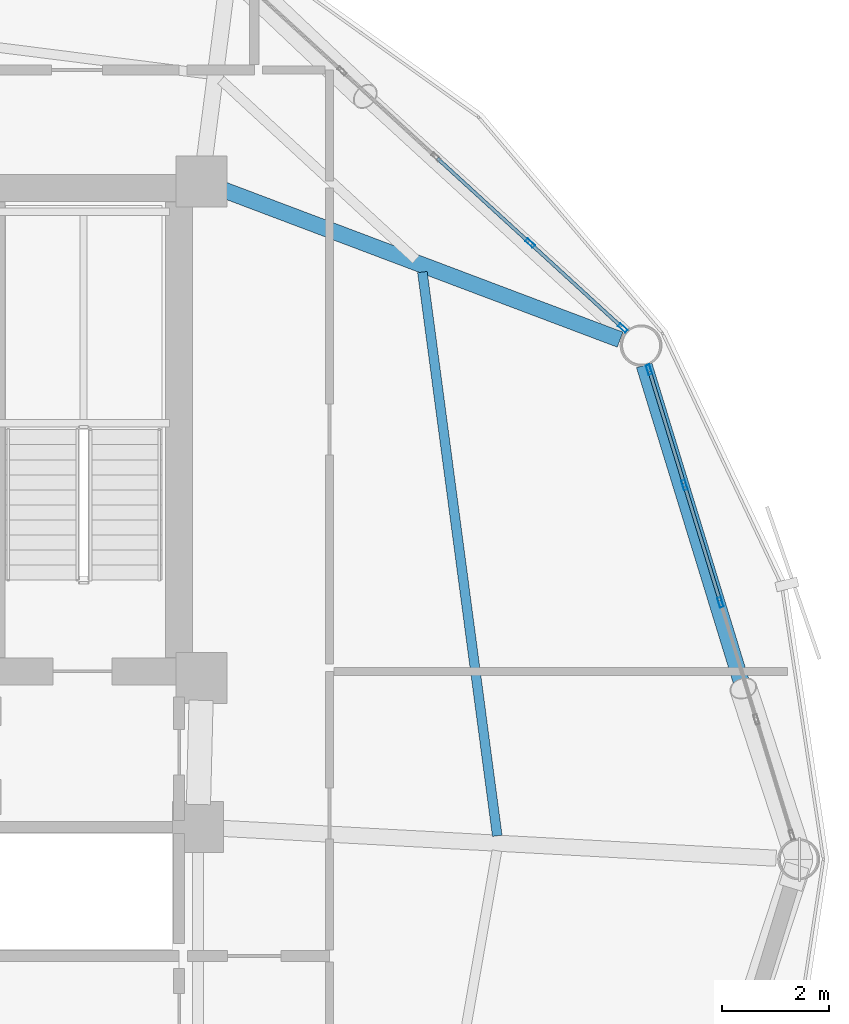
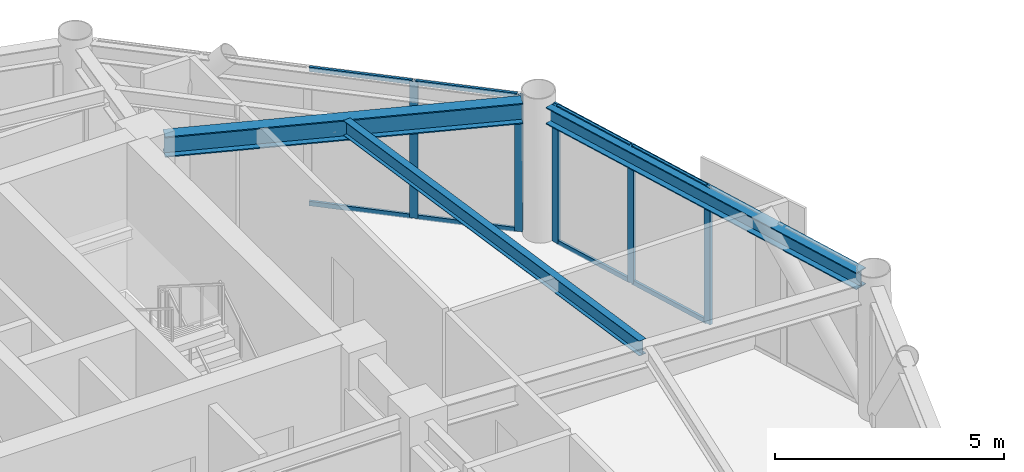
# One storey, part 16 of 27: 13 members, 3 beams, 2 elements without a shape of their own.
"""IFC4 building model written with IfcOpenShell, lengths in metres."""

from ifc_helpers import new_model, si_unit, direction, frame, origin, origin_2d, place, context, subcontext, project, spatial, hollow_rectangle, i_section, extrude, material, layer, layer_set, material_profile, profile_set, type_object, element, aggregate, save


model = new_model("IFC4")

# Units and contexts
model_context = context("Model", 3, precision=1e-05, world=origin(), true_north=direction((0.0, 1.0)))
body_context = subcontext(model_context, "Body", "Model", "MODEL_VIEW")
ifc_project = project(units=[si_unit("LENGTHUNIT", "METRE"), si_unit("AREAUNIT", "SQUARE_METRE"), si_unit("VOLUMEUNIT", "CUBIC_METRE"), si_unit("PLANEANGLEUNIT", "RADIAN"), si_unit("MASSUNIT", "GRAM", prefix="KILO")], contexts=[model_context])

# Site, building, storey
site_placement = place(None, origin())
site = spatial("IfcSite", under=ifc_project, at=site_placement, CompositionType="ELEMENT")
building_placement = place(site_placement, origin())
building = spatial("IfcBuilding", under=site, at=building_placement, Name="Varnakorn Sky Granary", CompositionType="ELEMENT")
storey_placement = place(building_placement, frame((0.0, 0.0, 134.39990234375)))
storey = spatial("IfcBuildingStorey", under=building, at=storey_placement, Name="L33", CompositionType="ELEMENT", Elevation=134.39990234375)

# Beams
ifc_material_1 = material(Name="Steel S355JR", Category="steel")
ifc_material_profile_1 = material_profile(ifc_material_1, i_section(OverallWidth=0.300048828125, OverallDepth=0.550048828125, WebThickness=0.014892578125, FlangeThickness=0.029052734375, at=origin_2d()), Name="HE 550 B")
ifc_profile_set_1 = profile_set([ifc_material_profile_1], Name="Steel S355JR")
beam_type_1 = type_object("IfcBeamType", Name="BM-RAD-Z3", PredefinedType="BEAM", material=ifc_profile_set_1)
beam_1_placement = place(storey_placement, frame((8.81298828125, 12.4716796875, 3.364990234375), z_axis=(0.9355097314, -0.353300923373, 0.0), x_axis=(0.353300923373, 0.9355097314, 0.0)))
element("IfcBeam", 1, at=beam_1_placement, inside=storey, type_object=beam_type_1, Name="Radial Floor Girder RG02 L33", PredefinedType="BEAM", context=body_context, shape_type="SweptSolid", body=[
    extrude(i_section(OverallWidth=0.300048828125, OverallDepth=0.550048828125, WebThickness=0.014892578125, FlangeThickness=0.029052734375, at=origin_2d()), origin(), (0.0, 0.0, 1.0), 7.909423828125),
])
ifc_material_profile_2 = material_profile(ifc_material_1, i_section(OverallWidth=0.179931640625, OverallDepth=0.39990234375, WebThickness=0.008544921875, FlangeThickness=0.013427734375, at=origin_2d()), Name="IPE 400")
ifc_profile_set_2 = profile_set([ifc_material_profile_2], Name="Steel S355JR")
beam_type_2 = type_object("IfcBeamType", Name="BM-SEC-Z3", PredefinedType="BEAM", material=ifc_profile_set_2)
beam_2_placement = place(storey_placement, frame((13.925048828125, 0.437255859375, 3.440185546875), z_axis=(-0.131629167207, 0.991299027711, 0.0), x_axis=(-0.991299027711, -0.131629167207, 0.0)))
element("IfcBeam", 2, at=beam_2_placement, inside=storey, type_object=beam_type_2, Name="Secondary Floor Chord Beam MSB01 L33", PredefinedType="BEAM", context=body_context, shape_type="SweptSolid", body=[
    extrude(i_section(OverallWidth=0.179931640625, OverallDepth=0.39990234375, WebThickness=0.008544921875, FlangeThickness=0.013427734375, at=origin_2d()), origin(), (0.0, 0.0, 1.0), 10.590576171875),
])
ifc_material_profile_3 = material_profile(ifc_material_1, i_section(OverallWidth=0.300048828125, OverallDepth=0.449951171875, WebThickness=0.013916015625, FlangeThickness=0.02587890625, at=origin_2d()), Name="HE 450 B")
ifc_profile_set_3 = profile_set([ifc_material_profile_3], Name="Steel S355JR")
beam_type_3 = type_object("IfcBeamType", Name="BM-SPD-Z3", PredefinedType="SPANDREL", material=ifc_profile_set_3)
beam_3_placement = place(storey_placement, frame((19.375732421875, 0.349853515625, 3.4150390625), z_axis=(-0.293208925208, 0.956048391128, 0.0), x_axis=(-0.956048391128, -0.293208925208, 0.0)))
element("IfcBeam", 3, at=beam_3_placement, inside=storey, type_object=beam_type_3, Name="Perimeter Spandrel Ring Beam RB01 L33", PredefinedType="SPANDREL", context=body_context, shape_type="SweptSolid", body=[
    extrude(i_section(OverallWidth=0.300048828125, OverallDepth=0.449951171875, WebThickness=0.013916015625, FlangeThickness=0.02587890625, at=origin_2d()), origin(), (0.0, 0.0, 1.0), 9.2548828125),
])

# Curtain wall, members
ifc_material_2 = material(Name="Anodised Bronze Aluminium Alloy 6063-T6", Category="aluminium")
ifc_layer = layer(ifc_material_2, 0.179931640625, Name="Anodised Bronze Aluminium Alloy 6063-T6")
ifc_layer_set = layer_set([ifc_layer], Name="Anodised Bronze Aluminium Alloy 6063-T6")
curtain_wall_type = type_object("IfcCurtainWallType", Name="CW-FRM-2", PredefinedType="USERDEFINED", material=ifc_layer_set)
curtain_wall_1_placement = place(storey_placement, origin())
curtain_wall_1 = element("IfcCurtainWall", 4, at=curtain_wall_1_placement, inside=storey, type_object=curtain_wall_type, Name="Unitised Curtain Wall CW4 CW-L33-B01", ObjectType="CURTAIN WALL", PredefinedType="USERDEFINED")
ifc_material_profile_4 = material_profile(ifc_material_2, hollow_rectangle(XDim=0.070068359375, YDim=0.18505859375, WallThickness=0.00390625, at=origin_2d()), Name="ALU MULL 70x185")
ifc_profile_set_4 = profile_set([ifc_material_profile_4], Name="Anodised Bronze Aluminium Alloy 6063-T6")
member_type_1 = type_object("IfcMemberType", Name="CW-FRM-2-MULL", PredefinedType="MULLION", material=ifc_profile_set_4)
member_1_placement = place(storey_placement, frame((16.752685546875, 9.116943359375, 0.0), z_axis=(0.0, 0.0, 1.0), x_axis=(0.956009129226, 0.293336913524, 0.0)))
member_1 = element("IfcMember", 5, at=member_1_placement, type_object=member_type_1, Name="CW4 mullion 1", PredefinedType="MULLION", context=body_context, shape_type="SweptSolid", body=[
    extrude(hollow_rectangle(XDim=0.070068359375, YDim=0.18505859375, WallThickness=0.00390625, at=origin_2d()), origin(), (0.0, 0.0, 1.0), 3.64013671875),
])
member_2_placement = place(storey_placement, frame((17.411865234375, 6.96826171875, 0.0), z_axis=(0.0, 0.0, 1.0), x_axis=(0.956009129226, 0.293336913524, 0.0)))
member_2 = element("IfcMember", 6, at=member_2_placement, type_object=member_type_1, Name="CW4 mullion 2", PredefinedType="MULLION", context=body_context, shape_type="SweptSolid", body=[
    extrude(hollow_rectangle(XDim=0.070068359375, YDim=0.18505859375, WallThickness=0.00390625, at=origin_2d()), origin(), (0.0, 0.0, 1.0), 3.64013671875),
])
member_3_placement = place(storey_placement, frame((18.08154296875, 4.785888671875, 0.0), z_axis=(0.0, 0.0, 1.0), x_axis=(0.956009129226, 0.293336913524, 0.0)))
member_3 = element("IfcMember", 7, at=member_3_placement, type_object=member_type_1, Name="CW4 mullion 3", PredefinedType="MULLION", context=body_context, shape_type="SweptSolid", body=[
    extrude(hollow_rectangle(XDim=0.070068359375, YDim=0.18505859375, WallThickness=0.00390625, at=origin_2d()), origin(), (0.0, 0.0, 1.0), 3.64013671875),
])

curtain_wall_2_placement = place(storey_placement, origin())
curtain_wall_2 = element("IfcCurtainWall", 8, at=curtain_wall_2_placement, inside=storey, type_object=curtain_wall_type, Name="Unitised Curtain Wall CW4 CW-L33-B02", ObjectType="CURTAIN WALL", PredefinedType="USERDEFINED")
member_4_placement = place(storey_placement, frame((14.536376953125, 11.47265625, 0.0), z_axis=(0.0, 0.0, 1.0), x_axis=(0.675182733871, 0.737650510664, 0.0)))
member_4 = element("IfcMember", 9, at=member_4_placement, type_object=member_type_1, Name="CW4 mullion 4", PredefinedType="MULLION", context=body_context, shape_type="SweptSolid", body=[
    extrude(hollow_rectangle(XDim=0.070068359375, YDim=0.18505859375, WallThickness=0.00390625, at=origin_2d()), origin(), (0.0, 0.0, 1.0), 3.64013671875),
])
member_5_placement = place(storey_placement, frame((16.26171875, 9.893310546875, 0.0), z_axis=(0.0, 0.0, 1.0), x_axis=(0.675182733871, 0.737650510664, 0.0)))
member_5 = element("IfcMember", 10, at=member_5_placement, type_object=member_type_1, Name="CW4 mullion 5", PredefinedType="MULLION", context=body_context, shape_type="SweptSolid", body=[
    extrude(hollow_rectangle(XDim=0.070068359375, YDim=0.18505859375, WallThickness=0.00390625, at=origin_2d()), origin(), (0.0, 0.0, 1.0), 3.64013671875),
])

# Member
ifc_material_profile_5 = material_profile(ifc_material_2, hollow_rectangle(XDim=0.06494140625, YDim=0.1201171875, WallThickness=0.00341796875, at=origin_2d()), Name="ALU TRAN 65x120")
ifc_profile_set_5 = profile_set([ifc_material_profile_5], Name="Anodised Bronze Aluminium Alloy 6063-T6")
member_type_2 = type_object("IfcMemberType", Name="CW-FRM-2-TRAN", PredefinedType="USERDEFINED", material=ifc_profile_set_5)
member_6_placement = place(storey_placement, frame((16.762939453125, 9.08349609375, 0.03271484375), z_axis=(0.293297900198, -0.956021099003, 0.0), x_axis=(0.956021099003, 0.293297900198, 0.0)))
member_6 = element("IfcMember", 11, at=member_6_placement, type_object=member_type_2, Name="CW4 transom 1.1", ObjectType="TRANSOM", PredefinedType="USERDEFINED", context=body_context, shape_type="SweptSolid", body=[
    extrude(hollow_rectangle(XDim=0.06494140625, YDim=0.1201171875, WallThickness=0.00341796875, at=origin_2d()), origin(), (0.0, 0.0, 1.0), 2.177490234375),
])

member_7_placement = place(storey_placement, frame((16.762939453125, 9.08349609375, 3.607666015625), z_axis=(0.293297900198, -0.956021099003, 0.0), x_axis=(0.956021099003, 0.293297900198, 0.0)))
member_7 = element("IfcMember", 12, at=member_7_placement, type_object=member_type_2, Name="CW4 transom 1.2", ObjectType="TRANSOM", PredefinedType="USERDEFINED", context=body_context, shape_type="SweptSolid", body=[
    extrude(hollow_rectangle(XDim=0.06494140625, YDim=0.1201171875, WallThickness=0.00341796875, at=origin_2d()), origin(), (0.0, 0.0, 1.0), 2.177490234375),
])

member_8_placement = place(storey_placement, frame((17.422119140625, 6.934814453125, 0.03271484375), z_axis=(0.293395696013, -0.955991090733, 0.0), x_axis=(0.955991090733, 0.293395696013, 0.0)))
member_8 = element("IfcMember", 13, at=member_8_placement, type_object=member_type_2, Name="CW4 transom 2.1", ObjectType="TRANSOM", PredefinedType="USERDEFINED", context=body_context, shape_type="SweptSolid", body=[
    extrude(hollow_rectangle(XDim=0.06494140625, YDim=0.1201171875, WallThickness=0.00341796875, at=origin_2d()), origin(), (0.0, 0.0, 1.0), 2.212646484375),
])

member_9_placement = place(storey_placement, frame((17.422119140625, 6.934814453125, 3.607666015625), z_axis=(0.293395696013, -0.955991090733, 0.0), x_axis=(0.955991090733, 0.293395696013, 0.0)))
member_9 = element("IfcMember", 14, at=member_9_placement, type_object=member_type_2, Name="CW4 transom 2.2", ObjectType="TRANSOM", PredefinedType="USERDEFINED", context=body_context, shape_type="SweptSolid", body=[
    extrude(hollow_rectangle(XDim=0.06494140625, YDim=0.1201171875, WallThickness=0.00341796875, at=origin_2d()), origin(), (0.0, 0.0, 1.0), 2.212646484375),
])

aggregate(curtain_wall_1, [member_1, member_2, member_3, member_6, member_7, member_8, member_9])

member_10_placement = place(storey_placement, frame((12.81103515625, 13.052001953125, 0.03271484375), z_axis=(0.737624607375, -0.675211032638, 0.0), x_axis=(0.675211032638, 0.737624607375, 0.0)))
member_10 = element("IfcMember", 15, at=member_10_placement, type_object=member_type_2, Name="CW4 transom 3.1", ObjectType="TRANSOM", PredefinedType="USERDEFINED", context=body_context, shape_type="SweptSolid", body=[
    extrude(hollow_rectangle(XDim=0.06494140625, YDim=0.1201171875, WallThickness=0.00341796875, at=origin_2d()), origin(), (0.0, 0.0, 1.0), 2.303955078125),
])

member_11_placement = place(storey_placement, frame((12.81103515625, 13.052001953125, 3.607666015625), z_axis=(0.737624607375, -0.675211032638, 0.0), x_axis=(0.675211032638, 0.737624607375, 0.0)))
member_11 = element("IfcMember", 16, at=member_11_placement, type_object=member_type_2, Name="CW4 transom 3.2", ObjectType="TRANSOM", PredefinedType="USERDEFINED", context=body_context, shape_type="SweptSolid", body=[
    extrude(hollow_rectangle(XDim=0.06494140625, YDim=0.1201171875, WallThickness=0.00341796875, at=origin_2d()), origin(), (0.0, 0.0, 1.0), 2.303955078125),
])

member_12_placement = place(storey_placement, frame((14.562255859375, 11.448974609375, 0.03271484375), z_axis=(0.737672004094, -0.675159251122, 0.0), x_axis=(0.675159251122, 0.737672004094, 0.0)))
member_12 = element("IfcMember", 17, at=member_12_placement, type_object=member_type_2, Name="CW4 transom 4.1", ObjectType="TRANSOM", PredefinedType="USERDEFINED", context=body_context, shape_type="SweptSolid", body=[
    extrude(hollow_rectangle(XDim=0.06494140625, YDim=0.1201171875, WallThickness=0.00341796875, at=origin_2d()), origin(), (0.0, 0.0, 1.0), 2.26904296875),
])

member_13_placement = place(storey_placement, frame((14.562255859375, 11.448974609375, 3.607666015625), z_axis=(0.737672004094, -0.675159251122, 0.0), x_axis=(0.675159251122, 0.737672004094, 0.0)))
member_13 = element("IfcMember", 18, at=member_13_placement, type_object=member_type_2, Name="CW4 transom 4.2", ObjectType="TRANSOM", PredefinedType="USERDEFINED", context=body_context, shape_type="SweptSolid", body=[
    extrude(hollow_rectangle(XDim=0.06494140625, YDim=0.1201171875, WallThickness=0.00341796875, at=origin_2d()), origin(), (0.0, 0.0, 1.0), 2.26904296875),
])

aggregate(curtain_wall_2, [member_4, member_5, member_10, member_11, member_12, member_13])

save(model, "model.ifc")
